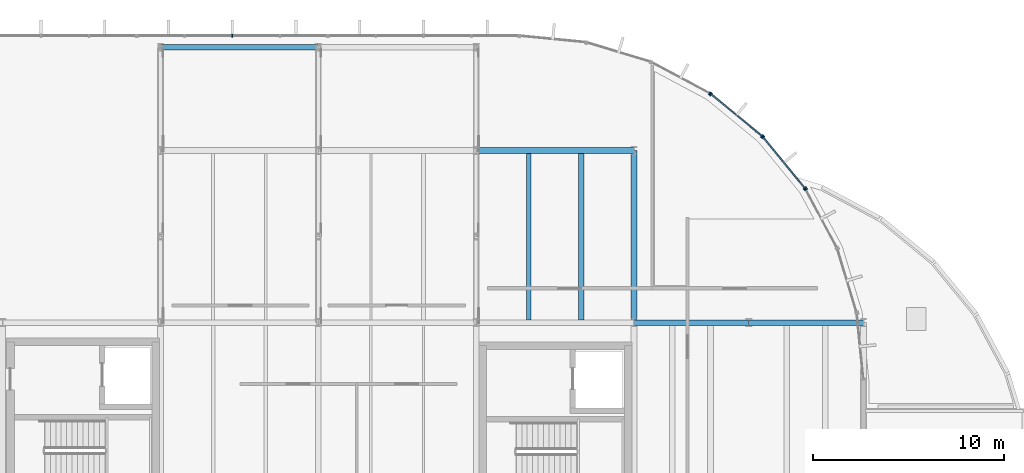
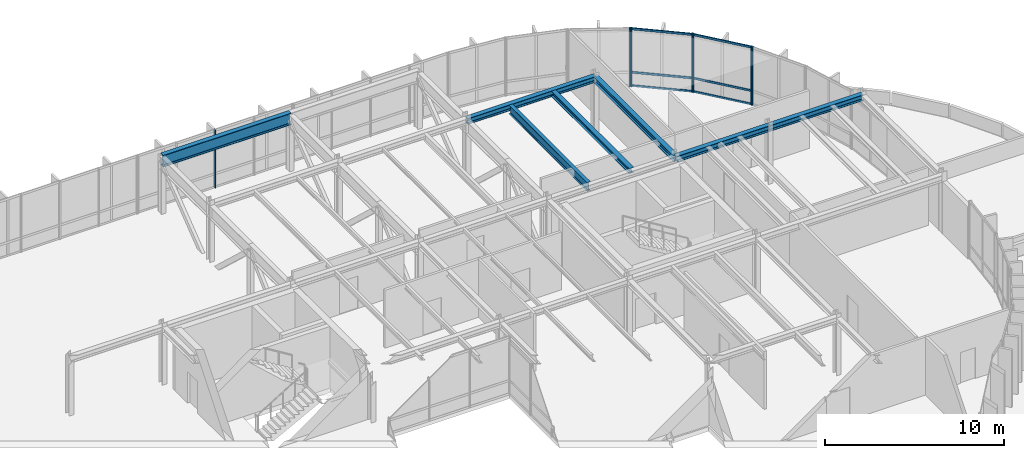
# One storey, part 13 of 29: 13 members, 7 beams, 5 elements without a shape of their own.
"""IFC4 building model written with IfcOpenShell, lengths in metres."""

from ifc_helpers import new_model, si_unit, direction, frame, origin, origin_2d, place, context, subcontext, project, spatial, rectangle, i_section, extrude, material, layer, layer_set, material_profile, profile_set, type_object, element, aggregate, save


model = new_model("IFC4")

# Units and contexts
model_context = context("Model", 3, precision=1e-05, world=origin(), true_north=direction((0.0, 1.0)))
body_context = subcontext(model_context, "Body", "Model", "MODEL_VIEW")
ifc_project = project(units=[si_unit("LENGTHUNIT", "METRE"), si_unit("AREAUNIT", "SQUARE_METRE"), si_unit("VOLUMEUNIT", "CUBIC_METRE"), si_unit("PLANEANGLEUNIT", "RADIAN"), si_unit("MASSUNIT", "GRAM", prefix="KILO")], contexts=[model_context])

# Site, building, storey
site_placement = place(None, origin())
site = spatial("IfcSite", under=ifc_project, at=site_placement, CompositionType="ELEMENT")
building_placement = place(site_placement, origin())
building = spatial("IfcBuilding", under=site, at=building_placement, Name="Montealbar Specialist Clinic", CompositionType="ELEMENT")
storey_placement = place(building_placement, frame((0.0, 0.0, 22.199951171875)))
storey = spatial("IfcBuildingStorey", under=building, at=storey_placement, Name="L05", CompositionType="ELEMENT", Elevation=22.199951171875)

# Beams
ifc_material_1 = material(Name="Steel S355", Category="steel")
ifc_material_profile_1 = material_profile(ifc_material_1, i_section(OverallWidth=0.300048828125, OverallDepth=0.39990234375, WebThickness=0.013427734375, FlangeThickness=0.02392578125, FilletRadius=0.027099609375, at=origin_2d()), Name="HEB 400", Category="steel")
ifc_profile_set_1 = profile_set([ifc_material_profile_1], Name="Steel S355")
beam_type_1 = type_object("IfcBeamType", Name="BM-GIRD-HEB400", PredefinedType="BEAM", material=ifc_profile_set_1)
for number, where, z_axis, x_axis, name in (
    (1, (99.0, 36.0, 3.739990234375), (1.0, 0.0, 0.0), (0.0, 1.0, 0.0), "Beam GX-L05-990-1050-360"),
    (2, (105.0, 36.0, 3.739990234375), (1.0, 0.0, 0.0), (0.0, 1.0, 0.0), "Beam GX-L05-1050-1110-360"),
):
    element("IfcBeam", number, at=place(storey_placement, frame(where, z_axis=z_axis, x_axis=x_axis)), inside=storey, type_object=beam_type_1, Name=name, PredefinedType="BEAM", context=body_context, shape_type="SweptSolid", body=[
        extrude(i_section(OverallWidth=0.300048828125, OverallDepth=0.39990234375, WebThickness=0.013427734375, FlangeThickness=0.02392578125, FilletRadius=0.027099609375, at=origin_2d()), origin(), (0.0, 0.0, 1.0), 6.0),
    ])
beam_1_placement = place(storey_placement, frame((90.75, 45.0, 3.739990234375), z_axis=(1.0, 0.0, 0.0), x_axis=(0.0, 1.0, 0.0)))
element("IfcBeam", 3, at=beam_1_placement, inside=storey, type_object=beam_type_1, Name="Beam GX-L05-908-990-450", PredefinedType="BEAM", context=body_context, shape_type="SweptSolid", body=[
    extrude(i_section(OverallWidth=0.300048828125, OverallDepth=0.39990234375, WebThickness=0.013427734375, FlangeThickness=0.02392578125, FilletRadius=0.027099609375, at=origin_2d()), origin(), (0.0, 0.0, 1.0), 8.25),
])
beam_2_placement = place(storey_placement, frame((99.0, 36.0, 3.739990234375), z_axis=(0.0, 1.0, 0.0), x_axis=(-1.0, 0.0, 0.0)))
element("IfcBeam", 4, at=beam_2_placement, inside=storey, type_object=beam_type_1, Name="Beam GY-L05-990-360-450", PredefinedType="BEAM", context=body_context, shape_type="SweptSolid", body=[
    extrude(i_section(OverallWidth=0.300048828125, OverallDepth=0.39990234375, WebThickness=0.013427734375, FlangeThickness=0.02392578125, FilletRadius=0.027099609375, at=origin_2d()), origin(), (0.0, 0.0, 1.0), 9.0),
])
ifc_material_profile_2 = material_profile(ifc_material_1, i_section(OverallWidth=0.300048828125, OverallDepth=0.35009765625, WebThickness=0.010009765625, FlangeThickness=0.017578125, FilletRadius=0.027099609375, at=origin_2d()), Name="HEA 360", Category="steel")
ifc_profile_set_2 = profile_set([ifc_material_profile_2], Name="Steel S355")
beam_type_2 = type_object("IfcBeamType", Name="BM-JST-HEA360", PredefinedType="JOIST", material=ifc_profile_set_2)
beam_3_placement = place(storey_placement, frame((96.25, 36.14990234375, 3.76513671875), z_axis=(0.0, 1.0, 0.0), x_axis=(-1.0, 0.0, 0.0)))
element("IfcBeam", 5, at=beam_3_placement, inside=storey, type_object=beam_type_2, Name="Beam JST-L05-962-362-448", PredefinedType="JOIST", context=body_context, shape_type="SweptSolid", body=[
    extrude(i_section(OverallWidth=0.300048828125, OverallDepth=0.35009765625, WebThickness=0.010009765625, FlangeThickness=0.017578125, FilletRadius=0.027099609375, at=origin_2d()), origin(), (0.0, 0.0, 1.0), 8.7001953125),
])
ifc_material_profile_3 = material_profile(ifc_material_1, i_section(OverallWidth=0.219970703125, OverallDepth=0.60009765625, WebThickness=0.011962890625, FlangeThickness=0.01904296875, FilletRadius=0.02392578125, at=origin_2d()), Name="IPE 600", Category="steel")
ifc_profile_set_3 = profile_set([ifc_material_profile_3], Name="Steel S355")
beam_type_3 = type_object("IfcBeamType", Name="BM-JST-IPE600", PredefinedType="JOIST", material=ifc_profile_set_3)
beam_4_placement = place(storey_placement, frame((93.5, 36.14990234375, 3.64013671875), z_axis=(0.0, 1.0, 0.0), x_axis=(-1.0, 0.0, 0.0)))
element("IfcBeam", 6, at=beam_4_placement, inside=storey, type_object=beam_type_3, Name="Beam JST-L05-935-362-448", PredefinedType="JOIST", context=body_context, shape_type="SweptSolid", body=[
    extrude(i_section(OverallWidth=0.219970703125, OverallDepth=0.60009765625, WebThickness=0.011962890625, FlangeThickness=0.01904296875, FilletRadius=0.02392578125, at=origin_2d()), origin(), (0.0, 0.0, 1.0), 8.7001953125),
])
ifc_material_profile_4 = material_profile(ifc_material_1, i_section(OverallWidth=0.300048828125, OverallDepth=0.800048828125, WebThickness=0.017578125, FlangeThickness=0.032958984375, FilletRadius=0.030029296875, at=origin_2d()), Name="HEB 800", Category="steel")
ifc_profile_set_4 = profile_set([ifc_material_profile_4], Name="Steel S355")
beam_type_4 = type_object("IfcBeamType", Name="BM-XFER-HEB800-EXT", PredefinedType="BEAM", material=ifc_profile_set_4)
beam_5_placement = place(storey_placement, frame((74.25, 50.39990234375, 3.5400390625), z_axis=(1.0, 0.0, 0.0), x_axis=(0.0, 1.0, 0.0)))
element("IfcBeam", 7, at=beam_5_placement, inside=storey, type_object=beam_type_4, Name="North Hall Cantilever Tie Girder L05 Y=50.4", PredefinedType="BEAM", context=body_context, shape_type="SweptSolid", body=[
    extrude(i_section(OverallWidth=0.300048828125, OverallDepth=0.800048828125, WebThickness=0.017578125, FlangeThickness=0.032958984375, FilletRadius=0.030029296875, at=origin_2d()), origin(), (0.0, 0.0, 1.0), 8.25),
])

# Curtain wall, member
ifc_material_2 = material(Name="Low-E double glazing", Category="glass")
ifc_layer_1 = layer(ifc_material_2, 0.199951171875, Name="Low-E double glazing", Category="glass")
ifc_layer_set_1 = layer_set([ifc_layer_1], Name="Low-E double glazing")
curtain_wall_type_1 = type_object("IfcCurtainWallType", Name="CW-TYPE-38", PredefinedType="NOTDEFINED", material=ifc_layer_set_1)
curtain_wall_1_placement = place(storey_placement, origin())
curtain_wall_1 = element("IfcCurtainWall", 8, at=curtain_wall_1_placement, inside=storey, type_object=curtain_wall_type_1, Name="Unitised Curtain Wall CW-L05-730-510-830-510-222", PredefinedType="NOTDEFINED")
ifc_material_3 = material(Name="Anodised aluminium EN AW-6063", Category="aluminium")
ifc_material_profile_5 = material_profile(ifc_material_3, rectangle(XDim=0.070068359375, YDim=0.179931640625, at=origin_2d()), Name="ALU 70x180", Category="aluminium")
ifc_profile_set_5 = profile_set([ifc_material_profile_5], Name="Anodised aluminium EN AW-6063")
member_type_1 = type_object("IfcMemberType", Name="CW-MUL-200", PredefinedType="MULLION", material=ifc_profile_set_5)
member_1_placement = place(storey_placement, frame((78.0, 51.0, 0.0), z_axis=(0.0, 0.0, 1.0), x_axis=(1.0, 0.0, 0.0)))
member_1 = element("IfcMember", 9, at=member_1_placement, type_object=member_type_1, Name="Curtain Wall Mullion CW-L05-730-510-830-510-222-02", PredefinedType="MULLION", context=body_context, shape_type="SweptSolid", body=[
    extrude(rectangle(XDim=0.070068359375, YDim=0.179931640625, at=origin_2d()), origin(), (0.0, 0.0, 1.0), 3.93994140625),
])
aggregate(curtain_wall_1, [member_1])

ifc_layer_2 = layer(ifc_material_2, 0.199951171875, Name="Low-E double glazing", Category="glass")
ifc_layer_set_2 = layer_set([ifc_layer_2], Name="Low-E double glazing")
curtain_wall_type_2 = type_object("IfcCurtainWallType", Name="CW-TYPE-19", PredefinedType="NOTDEFINED", material=ifc_layer_set_2)
curtain_wall_2_placement = place(storey_placement, origin())
curtain_wall_2 = element("IfcCurtainWall", 10, at=curtain_wall_2_placement, inside=storey, type_object=curtain_wall_type_2, Name="Unitised Curtain Wall CW-L05-999-496-1030-480-222", PredefinedType="NOTDEFINED")
member_2_placement = place(storey_placement, frame((102.965087890625, 47.985107421875, 0.0), z_axis=(0.0, 0.0, 1.0), x_axis=(0.881850411644, -0.471529268958, 0.0)))
member_2 = element("IfcMember", 11, at=member_2_placement, type_object=member_type_1, Name="Curtain Wall Mullion CW-L05-999-496-1030-480-222-01", PredefinedType="MULLION", context=body_context, shape_type="SweptSolid", body=[
    extrude(rectangle(XDim=0.070068359375, YDim=0.179931640625, at=origin_2d()), origin(), (0.0, 0.0, 1.0), 3.93994140625),
])
aggregate(curtain_wall_2, [member_2])

# Curtain wall, members
curtain_wall_3_placement = place(storey_placement, origin())
curtain_wall_3 = element("IfcCurtainWall", 12, at=curtain_wall_3_placement, inside=storey, type_object=curtain_wall_type_2, Name="Unitised Curtain Wall CW-L05-1030-480-1057-457-222", PredefinedType="NOTDEFINED")
member_3_placement = place(storey_placement, frame((103.031005859375, 47.94091796875, 0.0), z_axis=(0.0, 0.0, 1.0), x_axis=(0.773123255923, -0.634255808922, 0.0)))
member_3 = element("IfcMember", 13, at=member_3_placement, type_object=member_type_1, Name="Curtain Wall Mullion CW-L05-1030-480-1057-457-222-00", PredefinedType="MULLION", context=body_context, shape_type="SweptSolid", body=[
    extrude(rectangle(XDim=0.070068359375, YDim=0.179931640625, at=origin_2d()), origin(), (0.0, 0.0, 1.0), 3.93994140625),
])
member_4_placement = place(storey_placement, frame((105.697021484375, 45.7529296875, 0.0), z_axis=(0.0, 0.0, 1.0), x_axis=(0.773123255923, -0.634255808922, 0.0)))
member_4 = element("IfcMember", 14, at=member_4_placement, type_object=member_type_1, Name="Curtain Wall Mullion CW-L05-1030-480-1057-457-222-01", PredefinedType="MULLION", context=body_context, shape_type="SweptSolid", body=[
    extrude(rectangle(XDim=0.070068359375, YDim=0.179931640625, at=origin_2d()), origin(), (0.0, 0.0, 1.0), 3.93994140625),
])

curtain_wall_4_placement = place(storey_placement, origin())
curtain_wall_4 = element("IfcCurtainWall", 15, at=curtain_wall_4_placement, inside=storey, type_object=curtain_wall_type_2, Name="Unitised Curtain Wall CW-L05-1057-457-1080-430-222", PredefinedType="NOTDEFINED")
member_5_placement = place(storey_placement, frame((105.7529296875, 45.697021484375, 0.0), z_axis=(0.0, 0.0, 1.0), x_axis=(0.634255808922, -0.773123255923, 0.0)))
member_5 = element("IfcMember", 16, at=member_5_placement, type_object=member_type_1, Name="Curtain Wall Mullion CW-L05-1057-457-1080-430-222-00", PredefinedType="MULLION", context=body_context, shape_type="SweptSolid", body=[
    extrude(rectangle(XDim=0.070068359375, YDim=0.179931640625, at=origin_2d()), origin(), (0.0, 0.0, 1.0), 3.93994140625),
])
member_6_placement = place(storey_placement, frame((107.94091796875, 43.031005859375, 0.0), z_axis=(0.0, 0.0, 1.0), x_axis=(0.634255808922, -0.773123255923, 0.0)))
member_6 = element("IfcMember", 17, at=member_6_placement, type_object=member_type_1, Name="Curtain Wall Mullion CW-L05-1057-457-1080-430-222-01", PredefinedType="MULLION", context=body_context, shape_type="SweptSolid", body=[
    extrude(rectangle(XDim=0.070068359375, YDim=0.179931640625, at=origin_2d()), origin(), (0.0, 0.0, 1.0), 3.93994140625),
])

# Curtain wall, member
curtain_wall_5_placement = place(storey_placement, origin())
curtain_wall_5 = element("IfcCurtainWall", 18, at=curtain_wall_5_placement, inside=storey, type_object=curtain_wall_type_2, Name="Unitised Curtain Wall CW-L05-1080-430-1096-399-222", PredefinedType="NOTDEFINED")
member_7_placement = place(storey_placement, frame((107.985107421875, 42.965087890625, 0.0), z_axis=(0.0, 0.0, 1.0), x_axis=(0.471529268958, -0.881850411644, 0.0)))
member_7 = element("IfcMember", 19, at=member_7_placement, type_object=member_type_1, Name="Curtain Wall Mullion CW-L05-1080-430-1096-399-222-00", PredefinedType="MULLION", context=body_context, shape_type="SweptSolid", body=[
    extrude(rectangle(XDim=0.070068359375, YDim=0.179931640625, at=origin_2d()), origin(), (0.0, 0.0, 1.0), 3.93994140625),
])
aggregate(curtain_wall_5, [member_7])

# Member
ifc_material_4 = material(Name="Powder-coated aluminium", Category="aluminium")
ifc_material_profile_6 = material_profile(ifc_material_4, rectangle(XDim=0.070068359375, YDim=0.139892578125, at=origin_2d()), Name="ALU 70x140", Category="aluminium")
ifc_profile_set_6 = profile_set([ifc_material_profile_6], Name="Powder-coated aluminium")
member_type_2 = type_object("IfcMemberType", Name="CW-TRN-140", PredefinedType="USERDEFINED", material=ifc_profile_set_6)
member_8_placement = place(storey_placement, frame((103.0390625, 47.93408203125, 0.0400390625), z_axis=(0.773102924144, -0.634280591441, 0.0), x_axis=(0.634280591441, 0.773102924144, 0.0)))
member_8 = element("IfcMember", 20, at=member_8_placement, type_object=member_type_2, Name="Curtain Wall Transom CW-L05-1030-480-1057-457-222-00", ObjectType="TRANSOM", PredefinedType="USERDEFINED", context=body_context, shape_type="SweptSolid", body=[
    extrude(rectangle(XDim=0.070068359375, YDim=0.139892578125, at=origin_2d()), origin(), (0.0, 0.0, 1.0), 3.427734375),
])

member_9_placement = place(storey_placement, frame((103.0390625, 47.93408203125, 0.949951171875), z_axis=(0.773102924144, -0.634280591441, 0.0), x_axis=(0.634280591441, 0.773102924144, 0.0)))
member_9 = element("IfcMember", 21, at=member_9_placement, type_object=member_type_2, Name="Curtain Wall Transom CW-L05-1030-480-1057-457-222-01", ObjectType="TRANSOM", PredefinedType="USERDEFINED", context=body_context, shape_type="SweptSolid", body=[
    extrude(rectangle(XDim=0.070068359375, YDim=0.139892578125, at=origin_2d()), origin(), (0.0, 0.0, 1.0), 3.427734375),
])

member_10_placement = place(storey_placement, frame((103.0390625, 47.93408203125, 3.900146484375), z_axis=(0.773102924144, -0.634280591441, 0.0), x_axis=(0.634280591441, 0.773102924144, 0.0)))
member_10 = element("IfcMember", 22, at=member_10_placement, type_object=member_type_2, Name="Curtain Wall Transom CW-L05-1030-480-1057-457-222-02", ObjectType="TRANSOM", PredefinedType="USERDEFINED", context=body_context, shape_type="SweptSolid", body=[
    extrude(rectangle(XDim=0.070068359375, YDim=0.139892578125, at=origin_2d()), origin(), (0.0, 0.0, 1.0), 3.427734375),
])

aggregate(curtain_wall_3, [member_3, member_4, member_8, member_9, member_10])

member_11_placement = place(storey_placement, frame((105.760009765625, 45.68896484375, 0.0400390625), z_axis=(0.634280591441, -0.773102924144, 0.0), x_axis=(0.773102924144, 0.634280591441, 0.0)))
member_11 = element("IfcMember", 23, at=member_11_placement, type_object=member_type_2, Name="Curtain Wall Transom CW-L05-1057-457-1080-430-222-00", ObjectType="TRANSOM", PredefinedType="USERDEFINED", context=body_context, shape_type="SweptSolid", body=[
    extrude(rectangle(XDim=0.070068359375, YDim=0.139892578125, at=origin_2d()), origin(), (0.0, 0.0, 1.0), 3.427734375),
])

member_12_placement = place(storey_placement, frame((105.760009765625, 45.68896484375, 0.949951171875), z_axis=(0.634280591441, -0.773102924144, 0.0), x_axis=(0.773102924144, 0.634280591441, 0.0)))
member_12 = element("IfcMember", 24, at=member_12_placement, type_object=member_type_2, Name="Curtain Wall Transom CW-L05-1057-457-1080-430-222-01", ObjectType="TRANSOM", PredefinedType="USERDEFINED", context=body_context, shape_type="SweptSolid", body=[
    extrude(rectangle(XDim=0.070068359375, YDim=0.139892578125, at=origin_2d()), origin(), (0.0, 0.0, 1.0), 3.427734375),
])

member_13_placement = place(storey_placement, frame((105.760009765625, 45.68896484375, 3.900146484375), z_axis=(0.634280591441, -0.773102924144, 0.0), x_axis=(0.773102924144, 0.634280591441, 0.0)))
member_13 = element("IfcMember", 25, at=member_13_placement, type_object=member_type_2, Name="Curtain Wall Transom CW-L05-1057-457-1080-430-222-02", ObjectType="TRANSOM", PredefinedType="USERDEFINED", context=body_context, shape_type="SweptSolid", body=[
    extrude(rectangle(XDim=0.070068359375, YDim=0.139892578125, at=origin_2d()), origin(), (0.0, 0.0, 1.0), 3.427734375),
])

aggregate(curtain_wall_4, [member_5, member_6, member_11, member_12, member_13])

save(model, "model.ifc")
